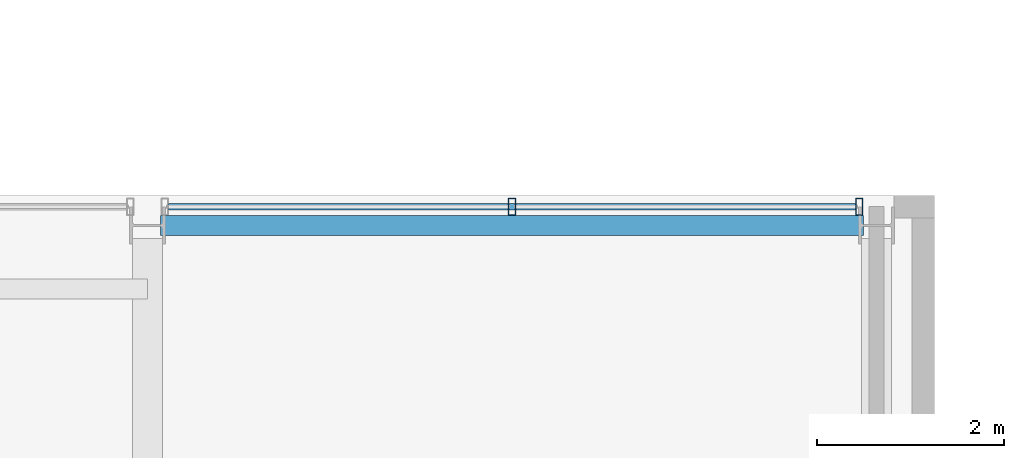
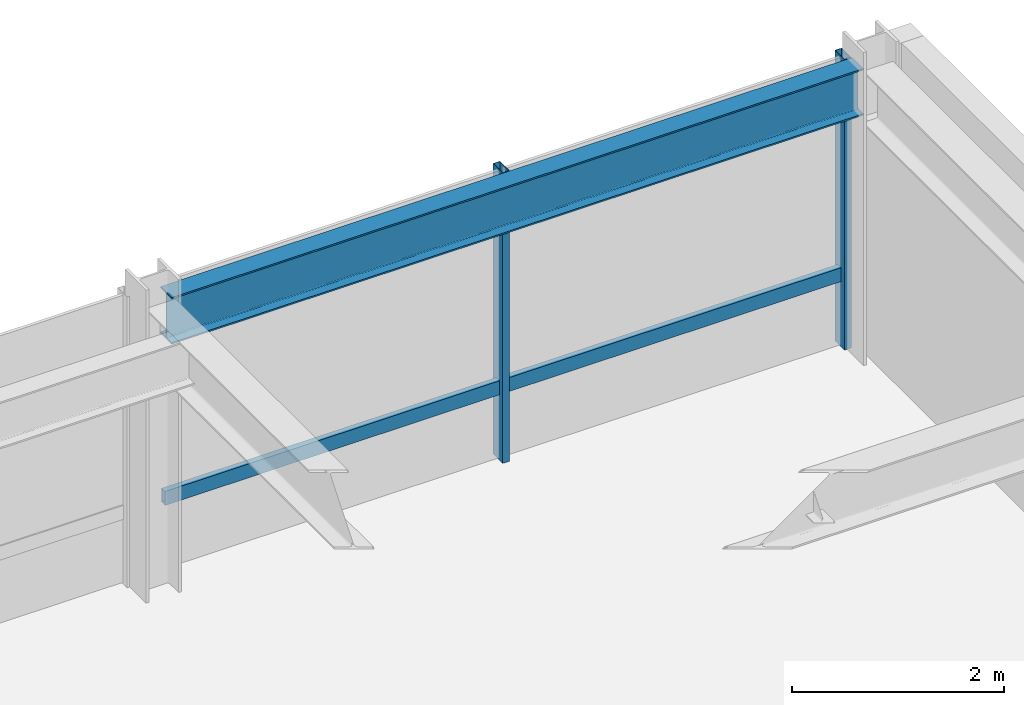
# One storey, part 24 of 32: 3 members, 1 beam, 1 element without a shape of its own.
"""IFC4 building model written with IfcOpenShell, lengths in metres."""

import ifcopenshell
import ifcopenshell.guid

model = None  # the IFC model being written
_history = None  # IfcOwnerHistory: only IFC2X3 demands one
_inside = {}  # id of a spatial element -> (the spatial element, [elements in it])
_under = {}  # id of a project, library or spatial element -> (it, [spatial elements below it])
_declared = {}  # id of a project -> (the project, [libraries it declares])
_typed = {}  # id of a type object -> (the type object, [elements of that type])
_made_of = {}  # id of a material, layer set ... -> (it, [elements and type objects made of it])


def new_model(schema):
    """Start an empty IFC model of exactly this schema.

    Asked for "IFC4X3", IfcOpenShell would pick the latest addendum, in which some entities
    have other attributes; the version numbers below select the first issue.
    IFC2X3 requires an IfcOwnerHistory on every rooted entity: one is made here for all.
    """
    global model, _history
    if schema == "IFC4X3":
        model = ifcopenshell.file(schema_version=(4, 3, 0, 0))
    else:
        model = ifcopenshell.file(schema=schema)
    _inside.clear()
    _under.clear()
    _declared.clear()
    _typed.clear()
    _made_of.clear()
    _history = None
    if model.schema == "IFC2X3":
        org = make("IfcOrganization", Name="unknown")
        user = make(
            "IfcPersonAndOrganization",
            ThePerson=make("IfcPerson", FamilyName="unknown"),
            TheOrganization=org,
        )
        app = make(
            "IfcApplication",
            ApplicationDeveloper=org,
            Version="unknown",
            ApplicationFullName="unknown",
            ApplicationIdentifier="unknown",
        )
        _history = make(
            "IfcOwnerHistory",
            OwningUser=user,
            OwningApplication=app,
            ChangeAction="ADDED",
            CreationDate=0,
        )
    return model


def make(cls, **values):
    """One entity of the class cls with the attributes given. An attribute that is None is left unset."""
    return model.create_entity(
        cls, **{name: value for name, value in values.items() if value is not None}
    )


def rooted(cls, **values):
    """An entity with a GlobalId (a new one), such as an element, a storey or a relation."""
    return make(cls, GlobalId=ifcopenshell.guid.new(), OwnerHistory=_history, **values)


def si_unit(unit_type, name, prefix=None):
    """IfcSIUnit, for example si_unit("LENGTHUNIT", "METRE", prefix="MILLI")."""
    return make("IfcSIUnit", UnitType=unit_type, Prefix=prefix, Name=name)


def assignment(units):
    """IfcUnitAssignment: the units of a project."""
    return None if units is None else make("IfcUnitAssignment", Units=units)


def point(xyz):
    """IfcCartesianPoint."""
    return None if xyz is None else make("IfcCartesianPoint", Coordinates=xyz)


def direction(xyz):
    """IfcDirection."""
    return None if xyz is None else make("IfcDirection", DirectionRatios=xyz)


def frame(location, z_axis=None, x_axis=None):
    """IfcAxis2Placement3D, a coordinate frame: its origin and axes. An axis left out is left unset."""
    return make(
        "IfcAxis2Placement3D",
        Location=point(location),
        Axis=direction(z_axis),
        RefDirection=direction(x_axis),
    )


def frame_2d(location, x_axis=None):
    """IfcAxis2Placement2D, a coordinate frame in the plane: its origin and x axis."""
    return make(
        "IfcAxis2Placement2D", Location=point(location), RefDirection=direction(x_axis)
    )


def origin():
    """The frame at (0, 0, 0) with its axes left unset."""
    return frame((0.0, 0.0, 0.0))


def origin_2d():
    """The frame at (0, 0) in the plane with its x axis left unset."""
    return frame_2d((0.0, 0.0))


def place(relative_to, where):
    """IfcLocalPlacement: puts the frame where relative to a parent placement (None: the world)."""
    return make(
        "IfcLocalPlacement", PlacementRelTo=relative_to, RelativePlacement=where
    )


def context(
    kind, dimensions, precision=None, world=None, true_north=None, identifier=None
):
    """IfcGeometricRepresentationContext, for example the 3D "Model" context."""
    return make(
        "IfcGeometricRepresentationContext",
        ContextIdentifier=identifier,
        ContextType=kind,
        CoordinateSpaceDimension=dimensions,
        Precision=precision,
        WorldCoordinateSystem=world,
        TrueNorth=true_north,
    )


def subcontext(parent, identifier, kind, view, scale=None):
    """IfcGeometricRepresentationSubContext, for example "Body" below "Model"."""
    return make(
        "IfcGeometricRepresentationSubContext",
        ContextIdentifier=identifier,
        ContextType=kind,
        ParentContext=parent,
        TargetScale=scale,
        TargetView=view,
    )


def project(units=None, contexts=None):
    """IfcProject with its units and contexts."""
    return rooted(
        "IfcProject",
        Name="project",
        RepresentationContexts=contexts,
        UnitsInContext=assignment(units),
    )


def spatial(cls, under=None, at=None, **own):
    """A site, building, storey or space (cls), placed at a placement, below another one or the project."""
    s = rooted(cls, ObjectPlacement=at, **own)
    if under is not None:
        _under.setdefault(under.id(), (under, []))[1].append(s)
    return s


def profile(cls, at=None, kind="AREA", **sizes):
    """A parametric profile (cls). Its sizes go by their IFC names, for example OverallWidth=200.0."""
    return make(cls, ProfileType=kind, Position=at, **sizes)


def hollow_rectangle(**sizes):
    """IfcRectangleHollowProfileDef."""
    return profile("IfcRectangleHollowProfileDef", **sizes)


def i_section(**sizes):
    """IfcIShapeProfileDef."""
    return profile("IfcIShapeProfileDef", **sizes)


def extrude(swept, where, along, depth):
    """IfcExtrudedAreaSolid: the profile swept, set in the frame where, extruded along a direction by depth."""
    return make(
        "IfcExtrudedAreaSolid",
        SweptArea=swept,
        Position=where,
        ExtrudedDirection=direction(along),
        Depth=depth,
    )


def shape(context_of_items, identifier, shape_type, items):
    """IfcShapeRepresentation: the items that make up one representation, for example the "Body"."""
    return make(
        "IfcShapeRepresentation",
        ContextOfItems=context_of_items,
        RepresentationIdentifier=identifier,
        RepresentationType=shape_type,
        Items=items,
    )


def material(Name=None, Category=None):
    """IfcMaterial."""
    return make("IfcMaterial", Name=Name, Category=Category)


def layer(
    of_material, thickness, ventilated=None, Name=None, Category=None, Priority=None
):
    """IfcMaterialLayer: one layer of a wall or slab, of a material (None: an air gap)."""
    return make(
        "IfcMaterialLayer",
        Material=of_material,
        LayerThickness=thickness,
        IsVentilated=ventilated,
        Name=Name,
        Category=Category,
        Priority=Priority,
    )


def layer_set(layers, Name=None):
    """IfcMaterialLayerSet."""
    return make("IfcMaterialLayerSet", MaterialLayers=layers, LayerSetName=Name)


def material_profile(
    of_material, cross_section, Name=None, Category=None, Priority=None
):
    """IfcMaterialProfile: a cross section and its material."""
    return make(
        "IfcMaterialProfile",
        Name=Name,
        Material=of_material,
        Profile=cross_section,
        Priority=Priority,
        Category=Category,
    )


def profile_set(profiles, Name=None, composite=None):
    """IfcMaterialProfileSet."""
    return make(
        "IfcMaterialProfileSet",
        Name=Name,
        MaterialProfiles=profiles,
        CompositeProfile=composite,
    )


def made_of(thing, what):
    """Note that an element or type object is made of a material, layer set ...; save() writes the relation."""
    if what is not None:
        _made_of.setdefault(what.id(), (what, []))[1].append(thing)
    return thing


def type_object(cls, material=None, **own):
    """A type object (cls), such as IfcWallType, which elements share."""
    return made_of(rooted(cls, **own), material)


def element(
    cls,
    number,
    at=None,
    inside=None,
    cuts=None,
    type_object=None,
    material=None,
    context=None,
    identifier="Body",
    shape_type=None,
    held_by="IfcProductDefinitionShape",
    body=None,
    shapes=None,
    **own,
):
    """One element of the class cls, such as IfcWall. Its Tag is "e" and its number.

    at: its placement. inside: the storey or other place that contains it. cuts: it is an
    opening in that element (IfcRelVoidsElement). A single representation is given by context,
    identifier, shape_type and body (its items); several are given by shapes. held_by: the class
    of the entity that holds the representations. save() writes the other relations.
    """
    e = rooted(cls, Tag="e%d" % number, ObjectPlacement=at, **own)
    if body is not None:
        shapes = [shape(context, identifier, shape_type, body)]
    if shapes is not None:
        e.Representation = make(held_by, Representations=shapes)
    if inside is not None:
        _inside.setdefault(inside.id(), (inside, []))[1].append(e)
    if cuts is not None:
        rooted(
            "IfcRelVoidsElement", RelatingBuildingElement=cuts, RelatedOpeningElement=e
        )
    if type_object is not None:
        _typed.setdefault(type_object.id(), (type_object, []))[1].append(e)
    return made_of(e, material)


def aggregate(whole, parts):
    """IfcRelAggregates: a whole, such as a stair, and the parts it consists of."""
    return rooted("IfcRelAggregates", RelatingObject=whole, RelatedObjects=parts)


def save(model, path):
    """Write the relations noted so far, then the file.

    IfcRelAggregates (storeys below a building ...), IfcRelContainedInSpatialStructure (elements
    in a storey), IfcRelDefinesByType, IfcRelAssociatesMaterial and IfcRelDeclares: one each for
    every whole, place, type object, material and project.
    """
    for whole, parts in _under.values():
        aggregate(whole, parts)
    for where, things in _inside.values():
        rooted(
            "IfcRelContainedInSpatialStructure",
            RelatedElements=things,
            RelatingStructure=where,
        )
    for kind, things in _typed.values():
        rooted("IfcRelDefinesByType", RelatedObjects=things, RelatingType=kind)
    for what, things in _made_of.values():
        rooted("IfcRelAssociatesMaterial", RelatedObjects=things, RelatingMaterial=what)
    for by, libraries in _declared.values():
        rooted("IfcRelDeclares", RelatingContext=by, RelatedDefinitions=libraries)
    model.write(path)


model = new_model("IFC4")

# Units and contexts
model_context = context("Model", 3, precision=1e-05, world=origin(), true_north=direction((0.0, 1.0)))
body_context = subcontext(model_context, "Body", "Model", "MODEL_VIEW")
ifc_project = project(units=[si_unit("LENGTHUNIT", "METRE"), si_unit("AREAUNIT", "SQUARE_METRE"), si_unit("VOLUMEUNIT", "CUBIC_METRE"), si_unit("PLANEANGLEUNIT", "RADIAN"), si_unit("MASSUNIT", "GRAM", prefix="KILO")], contexts=[model_context])

# Site, building, storey
site_placement = place(None, origin())
site = spatial("IfcSite", under=ifc_project, at=site_placement, CompositionType="ELEMENT")
building_placement = place(site_placement, origin())
building = spatial("IfcBuilding", under=site, at=building_placement, Name="Drelvath Grand Hotel", CompositionType="ELEMENT")
storey_placement = place(building_placement, frame((0.0, 0.0, 223.10009765625)))
storey = spatial("IfcBuildingStorey", under=building, at=storey_placement, Name="L58", CompositionType="ELEMENT", Elevation=223.10009765625)

# Curtain wall, members
ifc_material_1 = material(Name="Platinum-Mist Anodised Aluminium Frame", Category="aluminium")
ifc_layer = layer(ifc_material_1, 0.199951171875)
ifc_layer_set = layer_set([ifc_layer], Name="Platinum-Mist Anodised Aluminium Frame")
curtain_wall_type = type_object("IfcCurtainWallType", Name="Stick Curtain Wall CW-05 Platinum Mist High-Rise", PredefinedType="NOTDEFINED", material=ifc_layer_set)
curtain_wall_placement = place(storey_placement, origin())
curtain_wall = element("IfcCurtainWall", 1, at=curtain_wall_placement, inside=storey, type_object=curtain_wall_type, Name="L58 CW-05 Curtain Wall CW05-L58-NE2", PredefinedType="NOTDEFINED")
ifc_material_profile_1 = material_profile(ifc_material_1, hollow_rectangle(XDim=0.06494140625, YDim=0.159912109375, WallThickness=0.00390625, at=origin_2d()), Name="HSS160X65X4")
ifc_profile_set_1 = profile_set([ifc_material_profile_1], Name="Platinum-Mist Anodised Aluminium Frame")
member_type_1 = type_object("IfcMemberType", Name="Curtain Wall Horizontal Transom CW-05 HSS160X65X4", PredefinedType="USERDEFINED", material=ifc_profile_set_1)
member_1_placement = place(storey_placement, frame((8.625244140625, 49.080078125, 0.8349609375), z_axis=(1.0, 0.0, 0.0), x_axis=(0.0, 1.0, 0.0)))
member_1 = element("IfcMember", 2, at=member_1_placement, type_object=member_type_1, Name="CW05-L58-NE2 Sill Transom", ObjectType="TRANSOM", PredefinedType="USERDEFINED", context=body_context, shape_type="SweptSolid", body=[
    extrude(hollow_rectangle(XDim=0.06494140625, YDim=0.159912109375, WallThickness=0.00390625, at=origin_2d()), origin(), (0.0, 0.0, 1.0), 7.349365234375),
])
ifc_material_profile_2 = material_profile(ifc_material_1, hollow_rectangle(XDim=0.074951171875, YDim=0.179931640625, WallThickness=0.0048828125, at=origin_2d()), Name="HSS180X75X5")
ifc_profile_set_2 = profile_set([ifc_material_profile_2], Name="Platinum-Mist Anodised Aluminium Frame")
member_type_2 = type_object("IfcMemberType", Name="Curtain Wall Vertical Mullion CW-05 HSS180X75X5", PredefinedType="MULLION", material=ifc_profile_set_2)
member_2_placement = place(storey_placement, frame((12.300048828125, 49.080078125, 0.0), z_axis=(0.0, 0.0, 1.0), x_axis=(1.0, 0.0, 0.0)))
member_2 = element("IfcMember", 3, at=member_2_placement, type_object=member_type_2, Name="CW05-L58-NE2 Mullion 2", PredefinedType="MULLION", context=body_context, shape_type="SweptSolid", body=[
    extrude(hollow_rectangle(XDim=0.074951171875, YDim=0.179931640625, WallThickness=0.0048828125, at=origin_2d()), origin(), (0.0, 0.0, 1.0), 3.33984375),
])
member_3_placement = place(storey_placement, frame((16.0146484375, 49.080078125, 0.0), z_axis=(0.0, 0.0, 1.0), x_axis=(1.0, 0.0, 0.0)))
member_3 = element("IfcMember", 4, at=member_3_placement, type_object=member_type_2, Name="CW05-L58-NE2 Mullion 3", PredefinedType="MULLION", context=body_context, shape_type="SweptSolid", body=[
    extrude(hollow_rectangle(XDim=0.074951171875, YDim=0.179931640625, WallThickness=0.0048828125, at=origin_2d()), origin(), (0.0, 0.0, 1.0), 3.33984375),
])
aggregate(curtain_wall, [member_2, member_3, member_1])

# Beam
ifc_material_2 = material(Name="Steel ASTM A992 Gr 50", Category="steel")
ifc_material_profile_3 = material_profile(ifc_material_2, i_section(OverallWidth=0.210205078125, OverallDepth=0.53662109375, WebThickness=0.010986328125, FlangeThickness=0.017333984375, FilletRadius=0.01806640625, at=origin_2d()), Name="W21X68")
ifc_profile_set_3 = profile_set([ifc_material_profile_3], Name="Steel ASTM A992 Gr 50")
beam_type = type_object("IfcBeamType", Name="Perimeter Spandrel Beam W21X68", PredefinedType="SPANDREL", material=ifc_profile_set_3)
beam_placement = place(storey_placement, frame((8.5400390625, 48.8798828125, 3.071533203125), z_axis=(1.0, 0.0, 0.0), x_axis=(0.0, 1.0, 0.0)))
element("IfcBeam", 5, at=beam_placement, inside=storey, type_object=beam_type, Name="L58 Spandrel North E", PredefinedType="SPANDREL", context=body_context, shape_type="SweptSolid", body=[
    extrude(i_section(OverallWidth=0.210205078125, OverallDepth=0.53662109375, WebThickness=0.010986328125, FlangeThickness=0.017333984375, FilletRadius=0.01806640625, at=origin_2d()), origin(), (0.0, 0.0, 1.0), 7.52001953125),
])

save(model, "model.ifc")
